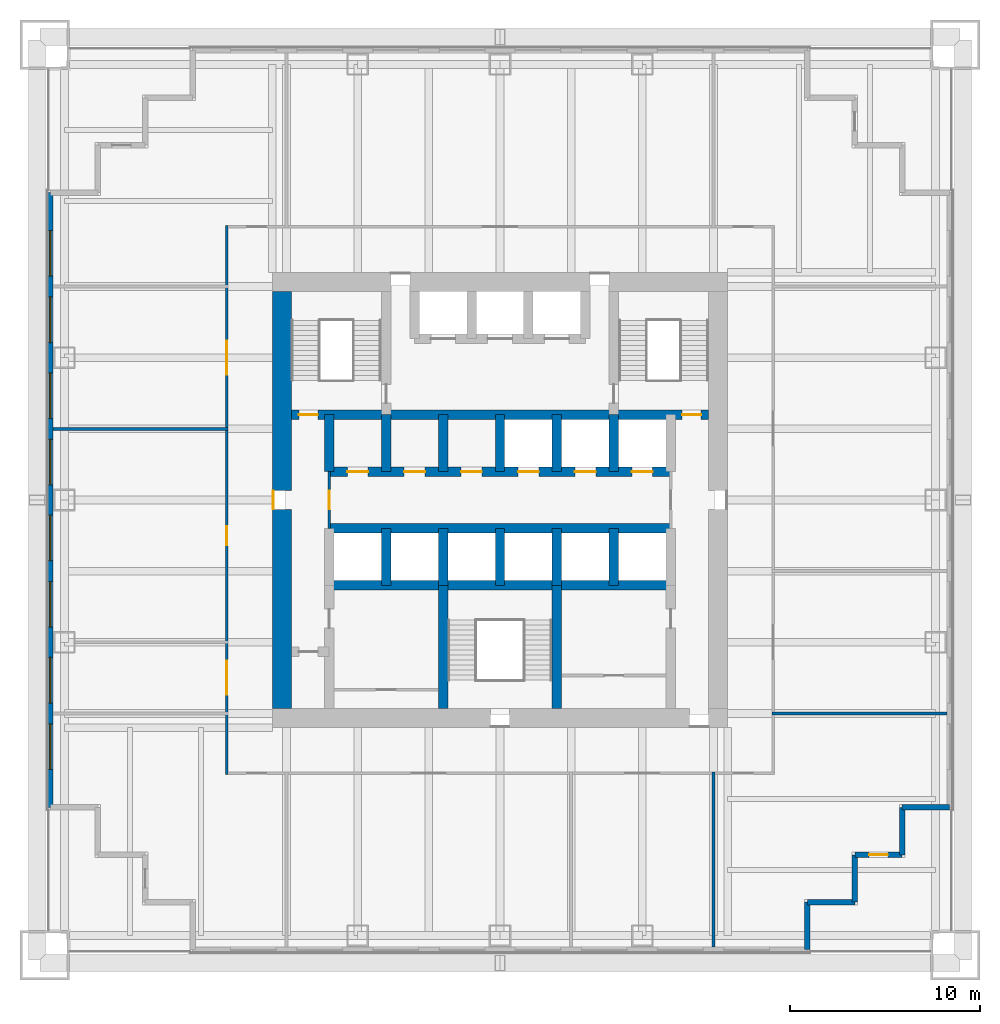
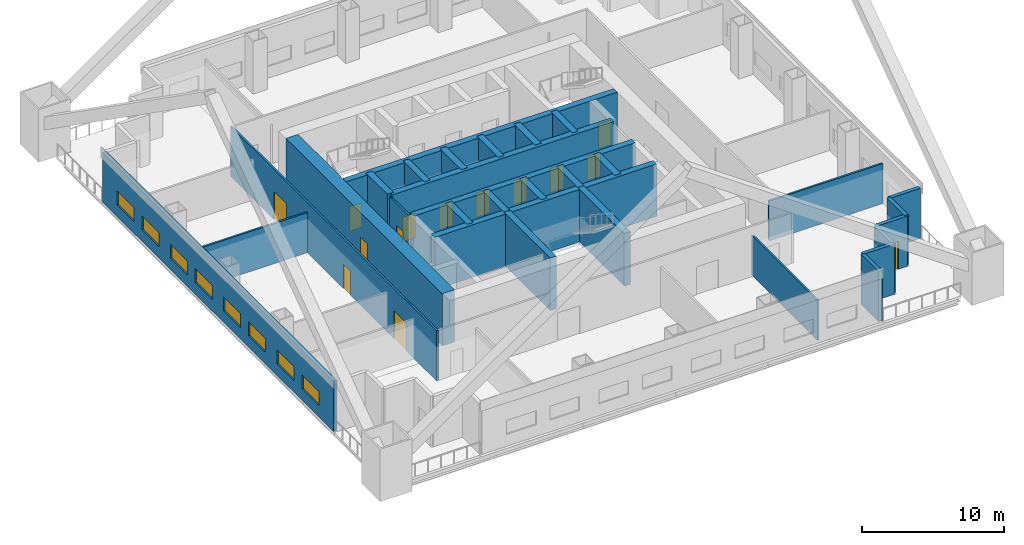
# One storey, part 3 of 6: 30 walls, 14 doors, 8 windows, 22 openings.
"""IFC4 building model written with IfcOpenShell, lengths in metres."""

from ifc_helpers import new_model, si_unit, direction, frame, frame_2d, origin, place, context, subcontext, project, spatial, rectangle, extrude, material, layer, layer_set, type_object, element, fill, save


model = new_model("IFC4")

# Units and contexts
model_context = context("Model", 3, precision=1e-05, world=origin(), true_north=direction((0.0, 1.0)))
body_context = subcontext(model_context, "Body", "Model", "MODEL_VIEW")
ifc_project = project(units=[si_unit("LENGTHUNIT", "METRE"), si_unit("AREAUNIT", "SQUARE_METRE"), si_unit("VOLUMEUNIT", "CUBIC_METRE"), si_unit("PLANEANGLEUNIT", "RADIAN"), si_unit("MASSUNIT", "GRAM", prefix="KILO")], contexts=[model_context])

# Site, building, storey
site_placement = place(None, origin())
site = spatial("IfcSite", under=ifc_project, at=site_placement, CompositionType="ELEMENT")
building_placement = place(site_placement, origin())
building = spatial("IfcBuilding", under=site, at=building_placement, Name="Tarangal Relay Tower", CompositionType="ELEMENT")
storey_placement = place(building_placement, frame((0.0, 0.0, 135.89990234375)))
storey = spatial("IfcBuildingStorey", under=building, at=storey_placement, Name="L27", CompositionType="ELEMENT", Elevation=135.89990234375)

# Wall, openings, doors
ifc_material_1 = material(Name="Concrete fc' 60 MPa", Category="concrete")
ifc_layer_1 = layer(ifc_material_1, 0.5)
ifc_layer_set_1 = layer_set([ifc_layer_1], Name="Core inner wall 500")
wall_type_1 = type_object("IfcWallType", Name="Core inner wall 500", PredefinedType="SHEAR", material=ifc_layer_set_1)
wall_1_placement = place(storey_placement, frame((-11.0, 4.5, 0.0), z_axis=(0.0, 0.0, 1.0), x_axis=(1.0, 0.0, 0.0)))
wall_1 = element("IfcWall", 1, at=wall_1_placement, inside=storey, type_object=wall_type_1, Name="Core wall Y45 L27", PredefinedType="SHEAR", context=body_context, shape_type="SweptSolid", body=[
    extrude(rectangle(XDim=22.0, YDim=0.5, at=frame_2d((11.0, 0.0))), origin(), (0.0, 0.0, 1.0), 4.5),
])
opening_1_placement = place(wall_1_placement, frame((0.39990234375, 0.0, 0.0)))
opening_1 = element("IfcOpeningElement", 2, at=opening_1_placement, cuts=wall_1, Name="Opening FD1", PredefinedType="OPENING", context=body_context, shape_type="SweptSolid", body=[
    extrude(rectangle(XDim=1.0, YDim=2.10009765625, at=frame_2d((0.5, 1.050048828125))), frame((0.0, 0.260009765625, 0.0), z_axis=(0.0, -1.0, 0.0), x_axis=(1.0, 0.0, 0.0)), (0.0, 0.0, 1.0), 0.52001953125),
])
opening_2_placement = place(wall_1_placement, frame((20.60009765625, 0.0, 0.0)))
opening_2 = element("IfcOpeningElement", 3, at=opening_2_placement, cuts=wall_1, Name="Opening FD1", PredefinedType="OPENING", context=body_context, shape_type="SweptSolid", body=[
    extrude(rectangle(XDim=1.0, YDim=2.10009765625, at=frame_2d((0.5, 1.050048828125))), frame((0.0, 0.260009765625, 0.0), z_axis=(0.0, -1.0, 0.0), x_axis=(1.0, 0.0, 0.0)), (0.0, 0.0, 1.0), 0.52001953125),
])
ifc_material_2 = material(Name="Steel door with hardwood frame", Category="steel")
door_type_1 = type_object("IfcDoorType", Name="Fire door 1000 x 2100", OperationType="SINGLE_SWING_LEFT", PredefinedType="DOOR", material=ifc_material_2)
door_1_placement = place(opening_1_placement, origin())
door_1 = element("IfcDoor", 4, at=door_1_placement, inside=storey, type_object=door_type_1, Name="Stair ST-A door from corridor L27", OperationType="SINGLE_SWING_LEFT", OverallHeight=2.10009765625, OverallWidth=1.0, PredefinedType="DOOR", context=body_context, shape_type="SweptSolid", body=[
    extrude(rectangle(XDim=1.0, YDim=2.10009765625, at=frame_2d((0.5, 1.050048828125))), frame((0.0, 0.02490234375, 0.0), z_axis=(0.0, -1.0, 0.0), x_axis=(1.0, 0.0, 0.0)), (0.0, 0.0, 1.0), 0.050048828125),
])
fill(opening_1, door_1)
door_2_placement = place(opening_2_placement, origin())
door_2 = element("IfcDoor", 5, at=door_2_placement, inside=storey, type_object=door_type_1, Name="Stair ST-B door from corridor L27", OperationType="SINGLE_SWING_LEFT", OverallHeight=2.10009765625, OverallWidth=1.0, PredefinedType="DOOR", context=body_context, shape_type="SweptSolid", body=[
    extrude(rectangle(XDim=1.0, YDim=2.10009765625, at=frame_2d((0.5, 1.050048828125))), frame((0.0, 0.02490234375, 0.0), z_axis=(0.0, -1.0, 0.0), x_axis=(1.0, 0.0, 0.0)), (0.0, 0.0, 1.0), 0.050048828125),
])
fill(opening_2, door_2)

wall_2_placement = place(storey_placement, frame((-9.0, 1.5, 0.0), z_axis=(0.0, 0.0, 1.0), x_axis=(1.0, 0.0, 0.0)))
wall_2 = element("IfcWall", 6, at=wall_2_placement, inside=storey, type_object=wall_type_1, Name="Core wall Y15 L27", PredefinedType="SHEAR", context=body_context, shape_type="SweptSolid", body=[
    extrude(rectangle(XDim=18.0, YDim=0.5, at=frame_2d((9.0, 0.0))), origin(), (0.0, 0.0, 1.0), 4.5),
])
opening_3_placement = place(wall_2_placement, frame((9.949951171875, 0.0, 0.0)))
opening_3 = element("IfcOpeningElement", 7, at=opening_3_placement, cuts=wall_2, Name="Opening LD1", PredefinedType="OPENING", context=body_context, shape_type="SweptSolid", body=[
    extrude(rectangle(XDim=1.10009765625, YDim=2.10009765625, at=frame_2d((0.550048828125, 1.050048828125))), frame((0.0, 0.260009765625, 0.0), z_axis=(0.0, -1.0, 0.0), x_axis=(1.0, 0.0, 0.0)), (0.0, 0.0, 1.0), 0.52001953125),
])
opening_4_placement = place(wall_2_placement, frame((12.949951171875, 0.0, 0.0)))
opening_4 = element("IfcOpeningElement", 8, at=opening_4_placement, cuts=wall_2, Name="Opening LD1", PredefinedType="OPENING", context=body_context, shape_type="SweptSolid", body=[
    extrude(rectangle(XDim=1.10009765625, YDim=2.10009765625, at=frame_2d((0.550048828125, 1.050048828125))), frame((0.0, 0.260009765625, 0.0), z_axis=(0.0, -1.0, 0.0), x_axis=(1.0, 0.0, 0.0)), (0.0, 0.0, 1.0), 0.52001953125),
])
opening_5_placement = place(wall_2_placement, frame((15.949951171875, 0.0, 0.0)))
opening_5 = element("IfcOpeningElement", 9, at=opening_5_placement, cuts=wall_2, Name="Opening LD1", PredefinedType="OPENING", context=body_context, shape_type="SweptSolid", body=[
    extrude(rectangle(XDim=1.10009765625, YDim=2.10009765625, at=frame_2d((0.550048828125, 1.050048828125))), frame((0.0, 0.260009765625, 0.0), z_axis=(0.0, -1.0, 0.0), x_axis=(1.0, 0.0, 0.0)), (0.0, 0.0, 1.0), 0.52001953125),
])
opening_6_placement = place(wall_2_placement, frame((0.949951171875, 0.0, 0.0)))
opening_6 = element("IfcOpeningElement", 10, at=opening_6_placement, cuts=wall_2, Name="Opening D4", PredefinedType="OPENING", context=body_context, shape_type="SweptSolid", body=[
    extrude(rectangle(XDim=1.10009765625, YDim=2.10009765625, at=frame_2d((0.550048828125, 1.050048828125))), frame((0.0, 0.260009765625, 0.0), z_axis=(0.0, -1.0, 0.0), x_axis=(1.0, 0.0, 0.0)), (0.0, 0.0, 1.0), 0.52001953125),
])
opening_7_placement = place(wall_2_placement, frame((3.949951171875, 0.0, 0.0)))
opening_7 = element("IfcOpeningElement", 11, at=opening_7_placement, cuts=wall_2, Name="Opening D4", PredefinedType="OPENING", context=body_context, shape_type="SweptSolid", body=[
    extrude(rectangle(XDim=1.10009765625, YDim=2.10009765625, at=frame_2d((0.550048828125, 1.050048828125))), frame((0.0, 0.260009765625, 0.0), z_axis=(0.0, -1.0, 0.0), x_axis=(1.0, 0.0, 0.0)), (0.0, 0.0, 1.0), 0.52001953125),
])
opening_8_placement = place(wall_2_placement, frame((6.949951171875, 0.0, 0.0)))
opening_8 = element("IfcOpeningElement", 12, at=opening_8_placement, cuts=wall_2, Name="Opening D4", PredefinedType="OPENING", context=body_context, shape_type="SweptSolid", body=[
    extrude(rectangle(XDim=1.10009765625, YDim=2.10009765625, at=frame_2d((0.550048828125, 1.050048828125))), frame((0.0, 0.260009765625, 0.0), z_axis=(0.0, -1.0, 0.0), x_axis=(1.0, 0.0, 0.0)), (0.0, 0.0, 1.0), 0.52001953125),
])
door_type_2 = type_object("IfcDoorType", Name="Core room door 1100 x 2100", OperationType="SINGLE_SWING_RIGHT", PredefinedType="DOOR", material=ifc_material_2)
door_3_placement = place(opening_6_placement, origin())
door_3 = element("IfcDoor", 13, at=door_3_placement, inside=storey, type_object=door_type_2, Name="Door D4 to cleaner's store L27-D1", OperationType="SINGLE_SWING_RIGHT", OverallHeight=2.10009765625, OverallWidth=1.10009765625, PredefinedType="DOOR", context=body_context, shape_type="SweptSolid", body=[
    extrude(rectangle(XDim=1.10009765625, YDim=2.10009765625, at=frame_2d((0.550048828125, 1.050048828125))), frame((0.0, 0.02490234375, 0.0), z_axis=(0.0, -1.0, 0.0), x_axis=(1.0, 0.0, 0.0)), (0.0, 0.0, 1.0), 0.050048828125),
])
fill(opening_6, door_3)
door_4_placement = place(opening_7_placement, origin())
door_4 = element("IfcDoor", 14, at=door_4_placement, inside=storey, type_object=door_type_2, Name="Door D4 to it room L27-D2", OperationType="SINGLE_SWING_RIGHT", OverallHeight=2.10009765625, OverallWidth=1.10009765625, PredefinedType="DOOR", context=body_context, shape_type="SweptSolid", body=[
    extrude(rectangle(XDim=1.10009765625, YDim=2.10009765625, at=frame_2d((0.550048828125, 1.050048828125))), frame((0.0, 0.02490234375, 0.0), z_axis=(0.0, -1.0, 0.0), x_axis=(1.0, 0.0, 0.0)), (0.0, 0.0, 1.0), 0.050048828125),
])
fill(opening_7, door_4)
door_5_placement = place(opening_8_placement, origin())
door_5 = element("IfcDoor", 15, at=door_5_placement, inside=storey, type_object=door_type_2, Name="Door D4 to back-of-house plant room L27-D3", OperationType="SINGLE_SWING_RIGHT", OverallHeight=2.10009765625, OverallWidth=1.10009765625, PredefinedType="DOOR", context=body_context, shape_type="SweptSolid", body=[
    extrude(rectangle(XDim=1.10009765625, YDim=2.10009765625, at=frame_2d((0.550048828125, 1.050048828125))), frame((0.0, 0.02490234375, 0.0), z_axis=(0.0, -1.0, 0.0), x_axis=(1.0, 0.0, 0.0)), (0.0, 0.0, 1.0), 0.050048828125),
])
fill(opening_8, door_5)
door_type_3 = type_object("IfcDoorType", Name="Lift landing door 1100 x 2100", OperationType="SLIDING_TO_LEFT", PredefinedType="DOOR", material=ifc_material_2)
door_6_placement = place(opening_3_placement, origin())
door_6 = element("IfcDoor", 16, at=door_6_placement, inside=storey, type_object=door_type_3, Name="Lift T1 landing door L27", OperationType="SLIDING_TO_LEFT", OverallHeight=2.10009765625, OverallWidth=1.10009765625, PredefinedType="DOOR", context=body_context, shape_type="SweptSolid", body=[
    extrude(rectangle(XDim=1.10009765625, YDim=2.10009765625, at=frame_2d((0.550048828125, 1.050048828125))), frame((0.0, 0.02490234375, 0.0), z_axis=(0.0, -1.0, 0.0), x_axis=(1.0, 0.0, 0.0)), (0.0, 0.0, 1.0), 0.050048828125),
])
fill(opening_3, door_6)
door_7_placement = place(opening_4_placement, origin())
door_7 = element("IfcDoor", 17, at=door_7_placement, inside=storey, type_object=door_type_3, Name="Lift T2 landing door L27", OperationType="SLIDING_TO_LEFT", OverallHeight=2.10009765625, OverallWidth=1.10009765625, PredefinedType="DOOR", context=body_context, shape_type="SweptSolid", body=[
    extrude(rectangle(XDim=1.10009765625, YDim=2.10009765625, at=frame_2d((0.550048828125, 1.050048828125))), frame((0.0, 0.02490234375, 0.0), z_axis=(0.0, -1.0, 0.0), x_axis=(1.0, 0.0, 0.0)), (0.0, 0.0, 1.0), 0.050048828125),
])
fill(opening_4, door_7)
door_8_placement = place(opening_5_placement, origin())
door_8 = element("IfcDoor", 18, at=door_8_placement, inside=storey, type_object=door_type_3, Name="Lift T3 landing door L27", OperationType="SLIDING_TO_LEFT", OverallHeight=2.10009765625, OverallWidth=1.10009765625, PredefinedType="DOOR", context=body_context, shape_type="SweptSolid", body=[
    extrude(rectangle(XDim=1.10009765625, YDim=2.10009765625, at=frame_2d((0.550048828125, 1.050048828125))), frame((0.0, 0.02490234375, 0.0), z_axis=(0.0, -1.0, 0.0), x_axis=(1.0, 0.0, 0.0)), (0.0, 0.0, 1.0), 0.050048828125),
])
fill(opening_5, door_8)

# Walls
for number, where, z_axis, x_axis, name in (
    (19, (-9.0, -1.5, 0.0), (0.0, 0.0, 1.0), (1.0, 0.0, 0.0), "Core wall YM15 L27"),
    (20, (-9.0, -4.5, 0.0), (0.0, 0.0, 1.0), (1.0, 0.0, 0.0), "Core wall YM45 L27"),
):
    element("IfcWall", number, at=place(storey_placement, frame(where, z_axis=z_axis, x_axis=x_axis)), inside=storey, type_object=wall_type_1, Name=name, PredefinedType="SHEAR", context=body_context, shape_type="SweptSolid", body=[
        extrude(rectangle(XDim=18.0, YDim=0.5, at=frame_2d((9.0, 0.0))), origin(), (0.0, 0.0, 1.0), 4.5),
    ])
for number, where, z_axis, x_axis, name in (
    (21, (-9.0, 1.5, 0.0), (0.0, 0.0, 1.0), (0.0, 1.0, 0.0), "Core wall XM9N L27"),
    (22, (-6.0, 1.5, 0.0), (0.0, 0.0, 1.0), (0.0, 1.0, 0.0), "Core wall XM6N L27"),
    (23, (-3.0, 1.5, 0.0), (0.0, 0.0, 1.0), (0.0, 1.0, 0.0), "Core wall XM3N L27"),
    (24, (0.0, 1.5, 0.0), (0.0, 0.0, 1.0), (0.0, 1.0, 0.0), "Core wall X0N L27"),
    (25, (3.0, 1.5, 0.0), (0.0, 0.0, 1.0), (0.0, 1.0, 0.0), "Core wall X3N L27"),
    (26, (6.0, 1.5, 0.0), (0.0, 0.0, 1.0), (0.0, 1.0, 0.0), "Core wall X6N L27"),
    (27, (-6.0, -4.5, 0.0), (0.0, 0.0, 1.0), (0.0, 1.0, 0.0), "Core wall XM6S L27"),
    (28, (-3.0, -4.5, 0.0), (0.0, 0.0, 1.0), (0.0, 1.0, 0.0), "Core wall XM3S L27"),
    (29, (0.0, -4.5, 0.0), (0.0, 0.0, 1.0), (0.0, 1.0, 0.0), "Core wall X0S L27"),
    (30, (3.0, -4.5, 0.0), (0.0, 0.0, 1.0), (0.0, 1.0, 0.0), "Core wall X3S L27"),
    (31, (6.0, -4.5, 0.0), (0.0, 0.0, 1.0), (0.0, 1.0, 0.0), "Core wall X6S L27"),
):
    element("IfcWall", number, at=place(storey_placement, frame(where, z_axis=z_axis, x_axis=x_axis)), inside=storey, type_object=wall_type_1, Name=name, PredefinedType="SHEAR", context=body_context, shape_type="SweptSolid", body=[
        extrude(rectangle(XDim=3.0, YDim=0.5, at=frame_2d((1.5, 0.0))), origin(), (0.0, 0.0, 1.0), 4.5),
    ])
for number, where, z_axis, x_axis, name in (
    (32, (-3.0, -11.0, 0.0), (0.0, 0.0, 1.0), (0.0, 1.0, 0.0), "Core wall XM3W L27"),
    (33, (3.0, -11.0, 0.0), (0.0, 0.0, 1.0), (0.0, 1.0, 0.0), "Core wall X3W L27"),
):
    element("IfcWall", number, at=place(storey_placement, frame(where, z_axis=z_axis, x_axis=x_axis)), inside=storey, type_object=wall_type_1, Name=name, PredefinedType="SHEAR", context=body_context, shape_type="SweptSolid", body=[
        extrude(rectangle(XDim=6.5, YDim=0.5, at=frame_2d((3.25, 0.0))), origin(), (0.0, 0.0, 1.0), 4.5),
    ])

# Wall, opening, door
ifc_layer_2 = layer(ifc_material_1, 1.0)
ifc_layer_set_2 = layer_set([ifc_layer_2], Name="Core wall 1000")
wall_type_2 = type_object("IfcWallType", Name="Core wall 1000", PredefinedType="SHEAR", material=ifc_layer_set_2)
wall_3_placement = place(storey_placement, frame((-11.5, -11.0, 0.0), z_axis=(0.0, 0.0, 1.0), x_axis=(0.0, 1.0, 0.0)))
wall_3 = element("IfcWall", 34, at=wall_3_placement, inside=storey, type_object=wall_type_2, Name="Core wall W L27", PredefinedType="SHEAR", context=body_context, shape_type="SweptSolid", body=[
    extrude(rectangle(XDim=22.0, YDim=1.0, at=frame_2d((11.0, 0.0))), origin(), (0.0, 0.0, 1.0), 4.5),
])
opening_9_placement = place(wall_3_placement, frame((10.5, 0.0, 0.0)))
opening_9 = element("IfcOpeningElement", 35, at=opening_9_placement, cuts=wall_3, Name="Opening FD3", PredefinedType="OPENING", context=body_context, shape_type="SweptSolid", body=[
    extrude(rectangle(XDim=1.0, YDim=2.39990234375, at=frame_2d((0.5, 1.199951171875))), frame((0.0, 0.510009765625, 0.0), z_axis=(0.0, -1.0, 0.0), x_axis=(1.0, 0.0, 0.0)), (0.0, 0.0, 1.0), 1.02001953125),
])
door_type_4 = type_object("IfcDoorType", Name="Fire door 1000 x 2400 core entry", OperationType="SINGLE_SWING_RIGHT", PredefinedType="DOOR", material=ifc_material_2)
door_9_placement = place(opening_9_placement, origin())
door_9 = element("IfcDoor", 36, at=door_9_placement, inside=storey, type_object=door_type_4, Name="Core entry door west L27", OperationType="SINGLE_SWING_RIGHT", OverallHeight=2.39990234375, OverallWidth=1.0, PredefinedType="DOOR", context=body_context, shape_type="SweptSolid", body=[
    extrude(rectangle(XDim=1.0, YDim=2.39990234375, at=frame_2d((0.5, 1.199951171875))), frame((0.0, 0.48486328125, 0.0), z_axis=(0.0, -1.0, 0.0), x_axis=(1.0, 0.0, 0.0)), (0.0, 0.0, 1.0), 0.050048828125),
])
fill(opening_9, door_9)

# Walls
ifc_material_3 = material(Name="Insulated precast concrete fc' 40 MPa", Category="concrete")
ifc_layer_3 = layer(ifc_material_3, 0.300048828125)
ifc_layer_set_3 = layer_set([ifc_layer_3], Name="Insulated precast concrete fc' 40 MPa")
wall_type_3 = type_object("IfcWallType", Name="Facade wall precast 300", PredefinedType="SOLIDWALL", material=ifc_layer_set_3)
for number, where, z_axis, x_axis, name in (
    (37, (23.699951171875, -16.199951171875, 0.0), (0.0, 0.0, 1.0), (-1.0, 0.0, 0.0), "Facade wall E facade L27"),
    (38, (21.199951171875, -16.199951171875, 0.0), (0.0, 0.0, 1.0), (0.0, -1.0, 0.0), "Facade wall E facade L27"),
):
    element("IfcWall", number, at=place(storey_placement, frame(where, z_axis=z_axis, x_axis=x_axis)), inside=storey, type_object=wall_type_3, Name=name, PredefinedType="SOLIDWALL", context=body_context, shape_type="SweptSolid", body=[
        extrude(rectangle(XDim=2.5, YDim=0.300048828125, at=frame_2d((1.25, 0.0))), origin(), (0.0, 0.0, 1.0), 4.300048828125),
    ])

# Wall, opening, door
wall_4_placement = place(storey_placement, frame((21.199951171875, -18.699951171875, 0.0), z_axis=(0.0, 0.0, 1.0), x_axis=(-1.0, 0.0, 0.0)))
wall_4 = element("IfcWall", 39, at=wall_4_placement, inside=storey, type_object=wall_type_3, Name="Facade wall E facade L27", PredefinedType="SOLIDWALL", context=body_context, shape_type="SweptSolid", body=[
    extrude(rectangle(XDim=2.5, YDim=0.300048828125, at=frame_2d((1.25, 0.0))), origin(), (0.0, 0.0, 1.0), 4.300048828125),
])
opening_10_placement = place(wall_4_placement, frame((0.75, 0.0, 0.0)))
opening_10 = element("IfcOpeningElement", 40, at=opening_10_placement, cuts=wall_4, Name="Opening TD1", PredefinedType="OPENING", context=body_context, shape_type="SweptSolid", body=[
    extrude(rectangle(XDim=1.0, YDim=2.39990234375, at=frame_2d((0.5, 1.199951171875))), frame((0.0, 0.159912109375, 0.0), z_axis=(0.0, -1.0, 0.0), x_axis=(1.0, 0.0, 0.0)), (0.0, 0.0, 1.0), 0.320068359375),
])
ifc_material_4 = material(Name="Aluminium glazed door", Category="aluminium")
door_type_5 = type_object("IfcDoorType", Name="Terrace door 1000 x 2400", OperationType="SINGLE_SWING_RIGHT", PredefinedType="DOOR", material=ifc_material_4)
door_10_placement = place(opening_10_placement, origin())
door_10 = element("IfcDoor", 41, at=door_10_placement, inside=storey, type_object=door_type_5, Name="Terrace door TD1 SE L27", OperationType="SINGLE_SWING_RIGHT", OverallHeight=2.39990234375, OverallWidth=1.0, PredefinedType="DOOR", context=body_context, shape_type="SweptSolid", body=[
    extrude(rectangle(XDim=1.0, YDim=2.39990234375, at=frame_2d((0.5, 1.199951171875))), frame((0.0, 0.02490234375, 0.0), z_axis=(0.0, -1.0, 0.0), x_axis=(1.0, 0.0, 0.0)), (0.0, 0.0, 1.0), 0.050048828125),
])
fill(opening_10, door_10)

# Walls
for number, where, z_axis, x_axis, name in (
    (42, (18.699951171875, -18.699951171875, 0.0), (0.0, 0.0, 1.0), (0.0, -1.0, 0.0), "Facade wall E facade L27"),
    (43, (18.699951171875, -21.199951171875, 0.0), (0.0, 0.0, 1.0), (-1.0, 0.0, 0.0), "Facade wall E facade L27"),
    (44, (16.199951171875, -21.199951171875, 0.0), (0.0, 0.0, 1.0), (0.0, -1.0, 0.0), "Facade wall E facade L27"),
):
    element("IfcWall", number, at=place(storey_placement, frame(where, z_axis=z_axis, x_axis=x_axis)), inside=storey, type_object=wall_type_3, Name=name, PredefinedType="SOLIDWALL", context=body_context, shape_type="SweptSolid", body=[
        extrude(rectangle(XDim=2.5, YDim=0.300048828125, at=frame_2d((1.25, 0.0))), origin(), (0.0, 0.0, 1.0), 4.300048828125),
    ])

# Wall, openings, windows
wall_5_placement = place(storey_placement, frame((-23.699951171875, -16.199951171875, 0.0), z_axis=(0.0, 0.0, 1.0), x_axis=(0.0, 1.0, 0.0)))
wall_5 = element("IfcWall", 45, at=wall_5_placement, inside=storey, type_object=wall_type_3, Name="Facade wall W facade L27", PredefinedType="SOLIDWALL", context=body_context, shape_type="SweptSolid", body=[
    extrude(rectangle(XDim=32.39990234375, YDim=0.300048828125, at=frame_2d((16.199951171875, 0.0))), origin(), (0.0, 0.0, 1.0), 4.300048828125),
])
opening_11_placement = place(wall_5_placement, frame((2.0, 0.0, 1.0)))
opening_11 = element("IfcOpeningElement", 46, at=opening_11_placement, cuts=wall_5, Name="Opening WN1", PredefinedType="OPENING", context=body_context, shape_type="SweptSolid", body=[
    extrude(rectangle(XDim=2.39990234375, YDim=1.199951171875, at=frame_2d((1.199951171875, 0.60009765625))), frame((0.0, 0.159912109375, 0.0), z_axis=(0.0, -1.0, 0.0), x_axis=(1.0, 0.0, 0.0)), (0.0, 0.0, 1.0), 0.320068359375),
])
opening_12_placement = place(wall_5_placement, frame((5.5, 0.0, 1.0)))
opening_12 = element("IfcOpeningElement", 47, at=opening_12_placement, cuts=wall_5, Name="Opening WN1", PredefinedType="OPENING", context=body_context, shape_type="SweptSolid", body=[
    extrude(rectangle(XDim=2.39990234375, YDim=1.199951171875, at=frame_2d((1.199951171875, 0.60009765625))), frame((0.0, 0.159912109375, 0.0), z_axis=(0.0, -1.0, 0.0), x_axis=(1.0, 0.0, 0.0)), (0.0, 0.0, 1.0), 0.320068359375),
])
opening_13_placement = place(wall_5_placement, frame((9.5, 0.0, 1.0)))
opening_13 = element("IfcOpeningElement", 48, at=opening_13_placement, cuts=wall_5, Name="Opening WN1", PredefinedType="OPENING", context=body_context, shape_type="SweptSolid", body=[
    extrude(rectangle(XDim=2.39990234375, YDim=1.199951171875, at=frame_2d((1.199951171875, 0.60009765625))), frame((0.0, 0.159912109375, 0.0), z_axis=(0.0, -1.0, 0.0), x_axis=(1.0, 0.0, 0.0)), (0.0, 0.0, 1.0), 0.320068359375),
])
opening_14_placement = place(wall_5_placement, frame((13.0, 0.0, 1.0)))
opening_14 = element("IfcOpeningElement", 49, at=opening_14_placement, cuts=wall_5, Name="Opening WN1", PredefinedType="OPENING", context=body_context, shape_type="SweptSolid", body=[
    extrude(rectangle(XDim=2.39990234375, YDim=1.199951171875, at=frame_2d((1.199951171875, 0.60009765625))), frame((0.0, 0.159912109375, 0.0), z_axis=(0.0, -1.0, 0.0), x_axis=(1.0, 0.0, 0.0)), (0.0, 0.0, 1.0), 0.320068359375),
])
opening_15_placement = place(wall_5_placement, frame((17.0, 0.0, 1.0)))
opening_15 = element("IfcOpeningElement", 50, at=opening_15_placement, cuts=wall_5, Name="Opening WN1", PredefinedType="OPENING", context=body_context, shape_type="SweptSolid", body=[
    extrude(rectangle(XDim=2.39990234375, YDim=1.199951171875, at=frame_2d((1.199951171875, 0.60009765625))), frame((0.0, 0.159912109375, 0.0), z_axis=(0.0, -1.0, 0.0), x_axis=(1.0, 0.0, 0.0)), (0.0, 0.0, 1.0), 0.320068359375),
])
opening_16_placement = place(wall_5_placement, frame((20.5, 0.0, 1.0)))
opening_16 = element("IfcOpeningElement", 51, at=opening_16_placement, cuts=wall_5, Name="Opening WN1", PredefinedType="OPENING", context=body_context, shape_type="SweptSolid", body=[
    extrude(rectangle(XDim=2.39990234375, YDim=1.199951171875, at=frame_2d((1.199951171875, 0.60009765625))), frame((0.0, 0.159912109375, 0.0), z_axis=(0.0, -1.0, 0.0), x_axis=(1.0, 0.0, 0.0)), (0.0, 0.0, 1.0), 0.320068359375),
])
opening_17_placement = place(wall_5_placement, frame((24.5, 0.0, 1.0)))
opening_17 = element("IfcOpeningElement", 52, at=opening_17_placement, cuts=wall_5, Name="Opening WN1", PredefinedType="OPENING", context=body_context, shape_type="SweptSolid", body=[
    extrude(rectangle(XDim=2.39990234375, YDim=1.199951171875, at=frame_2d((1.199951171875, 0.60009765625))), frame((0.0, 0.159912109375, 0.0), z_axis=(0.0, -1.0, 0.0), x_axis=(1.0, 0.0, 0.0)), (0.0, 0.0, 1.0), 0.320068359375),
])
opening_18_placement = place(wall_5_placement, frame((28.0, 0.0, 1.0)))
opening_18 = element("IfcOpeningElement", 53, at=opening_18_placement, cuts=wall_5, Name="Opening WN1", PredefinedType="OPENING", context=body_context, shape_type="SweptSolid", body=[
    extrude(rectangle(XDim=2.39990234375, YDim=1.199951171875, at=frame_2d((1.199951171875, 0.60009765625))), frame((0.0, 0.159912109375, 0.0), z_axis=(0.0, -1.0, 0.0), x_axis=(1.0, 0.0, 0.0)), (0.0, 0.0, 1.0), 0.320068359375),
])
ifc_material_5 = material(Name="Dark tinted double glazing in black aluminium frame", Category="aluminium")
window_type = type_object("IfcWindowType", Name="Ribbon window 2400 x 1200", PartitioningType="SINGLE_PANEL", PredefinedType="WINDOW", material=ifc_material_5)
window_1_placement = place(opening_11_placement, origin())
window_1 = element("IfcWindow", 54, at=window_1_placement, inside=storey, type_object=window_type, Name="Ribbon window WN1 W facade L27", OverallHeight=1.199951171875, OverallWidth=2.39990234375, PartitioningType="SINGLE_PANEL", PredefinedType="WINDOW", context=body_context, shape_type="SweptSolid", body=[
    extrude(rectangle(XDim=2.39990234375, YDim=1.199951171875, at=frame_2d((1.199951171875, 0.60009765625))), frame((0.0, 0.030029296875, 0.0), z_axis=(0.0, -1.0, 0.0), x_axis=(1.0, 0.0, 0.0)), (0.0, 0.0, 1.0), 0.06005859375),
])
fill(opening_11, window_1)
window_2_placement = place(opening_12_placement, origin())
window_2 = element("IfcWindow", 55, at=window_2_placement, inside=storey, type_object=window_type, Name="Ribbon window WN1 W facade L27", OverallHeight=1.199951171875, OverallWidth=2.39990234375, PartitioningType="SINGLE_PANEL", PredefinedType="WINDOW", context=body_context, shape_type="SweptSolid", body=[
    extrude(rectangle(XDim=2.39990234375, YDim=1.199951171875, at=frame_2d((1.199951171875, 0.60009765625))), frame((0.0, 0.030029296875, 0.0), z_axis=(0.0, -1.0, 0.0), x_axis=(1.0, 0.0, 0.0)), (0.0, 0.0, 1.0), 0.06005859375),
])
fill(opening_12, window_2)
window_3_placement = place(opening_13_placement, origin())
window_3 = element("IfcWindow", 56, at=window_3_placement, inside=storey, type_object=window_type, Name="Ribbon window WN1 W facade L27", OverallHeight=1.199951171875, OverallWidth=2.39990234375, PartitioningType="SINGLE_PANEL", PredefinedType="WINDOW", context=body_context, shape_type="SweptSolid", body=[
    extrude(rectangle(XDim=2.39990234375, YDim=1.199951171875, at=frame_2d((1.199951171875, 0.60009765625))), frame((0.0, 0.030029296875, 0.0), z_axis=(0.0, -1.0, 0.0), x_axis=(1.0, 0.0, 0.0)), (0.0, 0.0, 1.0), 0.06005859375),
])
fill(opening_13, window_3)
window_4_placement = place(opening_14_placement, origin())
window_4 = element("IfcWindow", 57, at=window_4_placement, inside=storey, type_object=window_type, Name="Ribbon window WN1 W facade L27", OverallHeight=1.199951171875, OverallWidth=2.39990234375, PartitioningType="SINGLE_PANEL", PredefinedType="WINDOW", context=body_context, shape_type="SweptSolid", body=[
    extrude(rectangle(XDim=2.39990234375, YDim=1.199951171875, at=frame_2d((1.199951171875, 0.60009765625))), frame((0.0, 0.030029296875, 0.0), z_axis=(0.0, -1.0, 0.0), x_axis=(1.0, 0.0, 0.0)), (0.0, 0.0, 1.0), 0.06005859375),
])
fill(opening_14, window_4)
window_5_placement = place(opening_15_placement, origin())
window_5 = element("IfcWindow", 58, at=window_5_placement, inside=storey, type_object=window_type, Name="Ribbon window WN1 W facade L27", OverallHeight=1.199951171875, OverallWidth=2.39990234375, PartitioningType="SINGLE_PANEL", PredefinedType="WINDOW", context=body_context, shape_type="SweptSolid", body=[
    extrude(rectangle(XDim=2.39990234375, YDim=1.199951171875, at=frame_2d((1.199951171875, 0.60009765625))), frame((0.0, 0.030029296875, 0.0), z_axis=(0.0, -1.0, 0.0), x_axis=(1.0, 0.0, 0.0)), (0.0, 0.0, 1.0), 0.06005859375),
])
fill(opening_15, window_5)
window_6_placement = place(opening_16_placement, origin())
window_6 = element("IfcWindow", 59, at=window_6_placement, inside=storey, type_object=window_type, Name="Ribbon window WN1 W facade L27", OverallHeight=1.199951171875, OverallWidth=2.39990234375, PartitioningType="SINGLE_PANEL", PredefinedType="WINDOW", context=body_context, shape_type="SweptSolid", body=[
    extrude(rectangle(XDim=2.39990234375, YDim=1.199951171875, at=frame_2d((1.199951171875, 0.60009765625))), frame((0.0, 0.030029296875, 0.0), z_axis=(0.0, -1.0, 0.0), x_axis=(1.0, 0.0, 0.0)), (0.0, 0.0, 1.0), 0.06005859375),
])
fill(opening_16, window_6)
window_7_placement = place(opening_17_placement, origin())
window_7 = element("IfcWindow", 60, at=window_7_placement, inside=storey, type_object=window_type, Name="Ribbon window WN1 W facade L27", OverallHeight=1.199951171875, OverallWidth=2.39990234375, PartitioningType="SINGLE_PANEL", PredefinedType="WINDOW", context=body_context, shape_type="SweptSolid", body=[
    extrude(rectangle(XDim=2.39990234375, YDim=1.199951171875, at=frame_2d((1.199951171875, 0.60009765625))), frame((0.0, 0.030029296875, 0.0), z_axis=(0.0, -1.0, 0.0), x_axis=(1.0, 0.0, 0.0)), (0.0, 0.0, 1.0), 0.06005859375),
])
fill(opening_17, window_7)
window_8_placement = place(opening_18_placement, origin())
window_8 = element("IfcWindow", 61, at=window_8_placement, inside=storey, type_object=window_type, Name="Ribbon window WN1 W facade L27", OverallHeight=1.199951171875, OverallWidth=2.39990234375, PartitioningType="SINGLE_PANEL", PredefinedType="WINDOW", context=body_context, shape_type="SweptSolid", body=[
    extrude(rectangle(XDim=2.39990234375, YDim=1.199951171875, at=frame_2d((1.199951171875, 0.60009765625))), frame((0.0, 0.030029296875, 0.0), z_axis=(0.0, -1.0, 0.0), x_axis=(1.0, 0.0, 0.0)), (0.0, 0.0, 1.0), 0.06005859375),
])
fill(opening_18, window_8)

# Walls
ifc_material_6 = material(Name="Gypsum board on steel studs", Category="steel")
ifc_layer_4 = layer(ifc_material_6, 0.14990234375)
ifc_layer_set_4 = layer_set([ifc_layer_4], Name="Partition 150")
wall_type_4 = type_object("IfcWallType", Name="Partition 150", PredefinedType="PARTITIONING", material=ifc_layer_set_4)
for number, where, z_axis, x_axis, name in (
    (62, (14.324951171875, -11.25, 0.0), (0.0, 0.0, 1.0), (1.0, 0.0, 0.0), "Partition PT1 L27"),
    (63, (-23.550048828125, 3.75, 0.0), (0.0, 0.0, 1.0), (1.0, 0.0, 0.0), "Partition PT1 L27"),
):
    element("IfcWall", number, at=place(storey_placement, frame(where, z_axis=z_axis, x_axis=x_axis)), inside=storey, type_object=wall_type_4, Name=name, PredefinedType="PARTITIONING", context=body_context, shape_type="SweptSolid", body=[
        extrude(rectangle(XDim=9.22509765625, YDim=0.14990234375, at=frame_2d((4.612548828125, 0.0))), origin(), (0.0, 0.0, 1.0), 3.431396484375),
    ])

# Wall, openings, doors
wall_6_placement = place(storey_placement, frame((-14.39990234375, -14.47509765625, 0.0), z_axis=(0.0, 0.0, 1.0), x_axis=(0.0, 1.0, 0.0)))
wall_6 = element("IfcWall", 64, at=wall_6_placement, inside=storey, type_object=wall_type_4, Name="Partition PT1 L27", PredefinedType="PARTITIONING", context=body_context, shape_type="SweptSolid", body=[
    extrude(rectangle(XDim=28.9501953125, YDim=0.14990234375, at=frame_2d((14.47509765625, 0.0))), origin(), (0.0, 0.0, 1.0), 4.300048828125),
])
opening_19_placement = place(wall_6_placement, frame((4.199951171875, 0.0, 0.0)))
opening_19 = element("IfcOpeningElement", 65, at=opening_19_placement, cuts=wall_6, Name="Opening DD1", PredefinedType="OPENING", context=body_context, shape_type="SweptSolid", body=[
    extrude(rectangle(XDim=1.800048828125, YDim=2.39990234375, at=frame_2d((0.89990234375, 1.199951171875))), frame((0.0, 0.0849609375, 0.0), z_axis=(0.0, -1.0, 0.0), x_axis=(1.0, 0.0, 0.0)), (0.0, 0.0, 1.0), 0.169921875),
])
opening_20_placement = place(wall_6_placement, frame((12.10009765625, 0.0, 0.0)))
opening_20 = element("IfcOpeningElement", 66, at=opening_20_placement, cuts=wall_6, Name="Opening D2", PredefinedType="OPENING", context=body_context, shape_type="SweptSolid", body=[
    extrude(rectangle(XDim=1.0, YDim=2.10009765625, at=frame_2d((0.5, 1.050048828125))), frame((0.0, 0.0849609375, 0.0), z_axis=(0.0, -1.0, 0.0), x_axis=(1.0, 0.0, 0.0)), (0.0, 0.0, 1.0), 0.169921875),
])
opening_21_placement = place(wall_6_placement, frame((21.074951171875, 0.0, 0.0)))
opening_21 = element("IfcOpeningElement", 67, at=opening_21_placement, cuts=wall_6, Name="Opening DD1", PredefinedType="OPENING", context=body_context, shape_type="SweptSolid", body=[
    extrude(rectangle(XDim=1.800048828125, YDim=2.39990234375, at=frame_2d((0.89990234375, 1.199951171875))), frame((0.0, 0.0849609375, 0.0), z_axis=(0.0, -1.0, 0.0), x_axis=(1.0, 0.0, 0.0)), (0.0, 0.0, 1.0), 0.169921875),
])
ifc_material_7 = material(Name="Hardwood door", Category="wood")
door_type_6 = type_object("IfcDoorType", Name="Door 1000 x 2100", OperationType="SINGLE_SWING_LEFT", PredefinedType="DOOR", material=ifc_material_7)
door_11_placement = place(opening_20_placement, origin())
door_11 = element("IfcDoor", 68, at=door_11_placement, inside=storey, type_object=door_type_6, Name="Door D2 to carrier office L27-08", OperationType="SINGLE_SWING_LEFT", OverallHeight=2.10009765625, OverallWidth=1.0, PredefinedType="DOOR", context=body_context, shape_type="SweptSolid", body=[
    extrude(rectangle(XDim=1.0, YDim=2.10009765625, at=frame_2d((0.5, 1.050048828125))), frame((0.0, 0.02490234375, 0.0), z_axis=(0.0, -1.0, 0.0), x_axis=(1.0, 0.0, 0.0)), (0.0, 0.0, 1.0), 0.050048828125),
])
fill(opening_20, door_11)
door_type_7 = type_object("IfcDoorType", Name="Equipment double door 1800 x 2400", OperationType="DOUBLE_DOOR_SINGLE_SWING", PredefinedType="DOOR", material=ifc_material_2)
door_12_placement = place(opening_19_placement, origin())
door_12 = element("IfcDoor", 69, at=door_12_placement, inside=storey, type_object=door_type_7, Name="Door DD1 to electrical room L27-07", OperationType="DOUBLE_DOOR_SINGLE_SWING", OverallHeight=2.39990234375, OverallWidth=1.800048828125, PredefinedType="DOOR", context=body_context, shape_type="SweptSolid", body=[
    extrude(rectangle(XDim=1.800048828125, YDim=2.39990234375, at=frame_2d((0.89990234375, 1.199951171875))), frame((0.0, 0.02490234375, 0.0), z_axis=(0.0, -1.0, 0.0), x_axis=(1.0, 0.0, 0.0)), (0.0, 0.0, 1.0), 0.050048828125),
])
fill(opening_19, door_12)
door_13_placement = place(opening_21_placement, origin())
door_13 = element("IfcDoor", 70, at=door_13_placement, inside=storey, type_object=door_type_7, Name="Door DD1 to fibre distribution room L27-09", OperationType="DOUBLE_DOOR_SINGLE_SWING", OverallHeight=2.39990234375, OverallWidth=1.800048828125, PredefinedType="DOOR", context=body_context, shape_type="SweptSolid", body=[
    extrude(rectangle(XDim=1.800048828125, YDim=2.39990234375, at=frame_2d((0.89990234375, 1.199951171875))), frame((0.0, 0.02490234375, 0.0), z_axis=(0.0, -1.0, 0.0), x_axis=(1.0, 0.0, 0.0)), (0.0, 0.0, 1.0), 0.050048828125),
])
fill(opening_21, door_13)

# Wall
wall_7_placement = place(storey_placement, frame((11.25, -23.550048828125, 0.0), z_axis=(0.0, 0.0, 1.0), x_axis=(0.0, 1.0, 0.0)))
element("IfcWall", 71, at=wall_7_placement, inside=storey, type_object=wall_type_4, Name="Partition PT1 L27", PredefinedType="PARTITIONING", context=body_context, shape_type="SweptSolid", body=[
    extrude(rectangle(XDim=9.22509765625, YDim=0.14990234375, at=frame_2d((4.612548828125, 0.0))), origin(), (0.0, 0.0, 1.0), 3.431396484375),
])

# Wall, opening, door
wall_8_placement = place(storey_placement, frame((-9.0, -1.5, 0.0), z_axis=(0.0, 0.0, 1.0), x_axis=(0.0, 1.0, 0.0)))
wall_8 = element("IfcWall", 72, at=wall_8_placement, inside=storey, type_object=wall_type_4, Name="Partition PT1 L27", PredefinedType="PARTITIONING", context=body_context, shape_type="SweptSolid", body=[
    extrude(rectangle(XDim=3.0, YDim=0.14990234375, at=frame_2d((1.5, 0.0))), origin(), (0.0, 0.0, 1.0), 4.25),
])
opening_22_placement = place(wall_8_placement, frame((1.0, 0.0, 0.0)))
opening_22 = element("IfcOpeningElement", 73, at=opening_22_placement, cuts=wall_8, Name="Opening FD3", PredefinedType="OPENING", context=body_context, shape_type="SweptSolid", body=[
    extrude(rectangle(XDim=1.0, YDim=2.39990234375, at=frame_2d((0.5, 1.199951171875))), frame((0.0, 0.0849609375, 0.0), z_axis=(0.0, -1.0, 0.0), x_axis=(1.0, 0.0, 0.0)), (0.0, 0.0, 1.0), 0.169921875),
])
door_14_placement = place(opening_22_placement, origin())
door_14 = element("IfcDoor", 74, at=door_14_placement, inside=storey, type_object=door_type_4, Name="Lift lobby door FD3 to the west corridor L27", OperationType="SINGLE_SWING_RIGHT", OverallHeight=2.39990234375, OverallWidth=1.0, PredefinedType="DOOR", context=body_context, shape_type="SweptSolid", body=[
    extrude(rectangle(XDim=1.0, YDim=2.39990234375, at=frame_2d((0.5, 1.199951171875))), frame((0.0, 0.02490234375, 0.0), z_axis=(0.0, -1.0, 0.0), x_axis=(1.0, 0.0, 0.0)), (0.0, 0.0, 1.0), 0.050048828125),
])
fill(opening_22, door_14)

save(model, "model.ifc")
